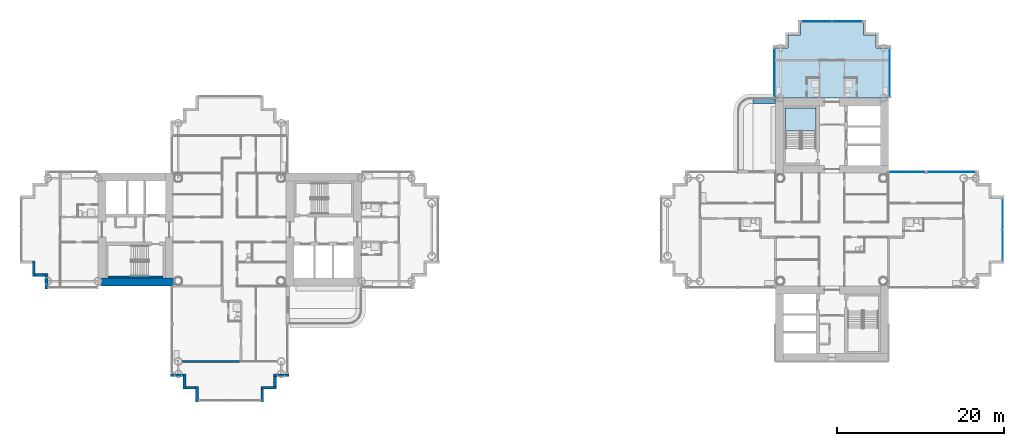
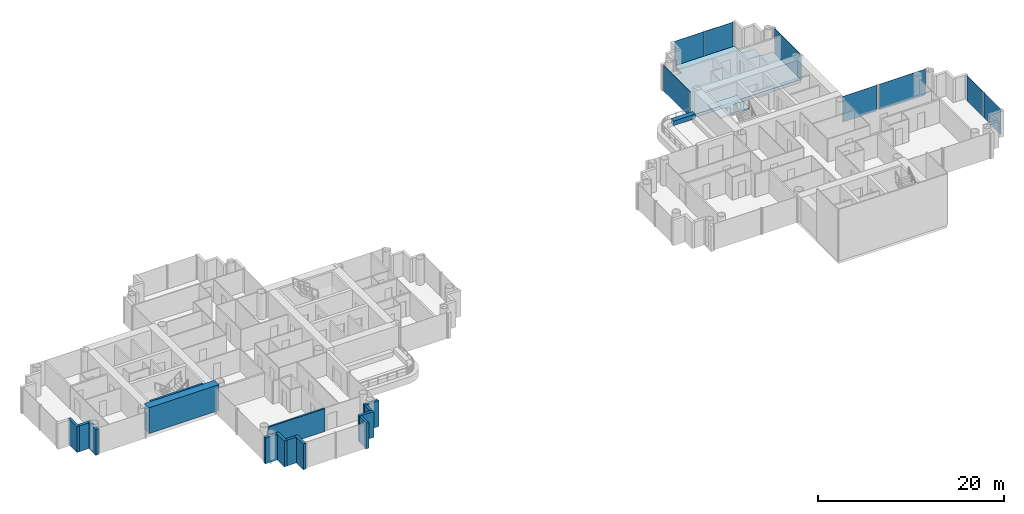
# One storey, part 8 of 21: 14 walls, 8 plates, 3 slabs, 7 elements without a shape of their own.
"""IFC4 building model written with IfcOpenShell, lengths in metres."""

from ifc_helpers import new_model, si_unit, direction, frame, frame_2d, origin, origin_2d, place, context, subcontext, project, spatial, polyline, rectangle, outline, extrude, material, layer, layer_set, type_object, element, aggregate, save


model = new_model("IFC4")

# Units and contexts
model_context = context("Model", 3, precision=1e-05, world=origin(), true_north=direction((0.0, 1.0)))
body_context = subcontext(model_context, "Body", "Model", "MODEL_VIEW")
ifc_project = project(units=[si_unit("LENGTHUNIT", "METRE"), si_unit("AREAUNIT", "SQUARE_METRE"), si_unit("VOLUMEUNIT", "CUBIC_METRE"), si_unit("PLANEANGLEUNIT", "RADIAN"), si_unit("MASSUNIT", "GRAM", prefix="KILO")], contexts=[model_context])

# Site, building, storey
site_placement = place(None, origin())
site = spatial("IfcSite", under=ifc_project, at=site_placement, CompositionType="ELEMENT")
building_placement = place(site_placement, origin())
building = spatial("IfcBuilding", under=site, at=building_placement, Name="Ipe Terrace Towers", CompositionType="ELEMENT")
storey_placement = place(building_placement, frame((0.0, 0.0, 103.800048828125)))
storey = spatial("IfcBuildingStorey", under=building, at=storey_placement, Name="L28", CompositionType="ELEMENT", Elevation=103.800048828125)

# Stair, slab
ifc_material_1 = material(Name="Concrete C30/37", Category="concrete")
stair_type = type_object("IfcStairType", Name="Protected exit stair", PredefinedType="HALF_TURN_STAIR", material=ifc_material_1)
stair_placement = place(storey_placement, origin())
stair = element("IfcStair", 1, at=stair_placement, inside=storey, type_object=stair_type, Name="L28 Exit stair T2-C1", PredefinedType="HALF_TURN_STAIR")
ifc_material_2 = material(Name="Concrete C30/37", Category="concrete")
ifc_layer_1 = layer(ifc_material_2, 0.199951171875)
ifc_layer_set_1 = layer_set([ifc_layer_1], Name="Exit stair landing 200")
slab_type_1 = type_object("IfcSlabType", Name="Exit stair landing 200", PredefinedType="LANDING", material=ifc_layer_set_1)
slab_1_placement = place(storey_placement, frame((0.0, 0.0, 1.5)))
slab_1 = element("IfcSlab", 2, at=slab_1_placement, type_object=slab_type_1, Name="T2-ST1 landing 1", PredefinedType="LANDING", context=body_context, shape_type="SweptSolid", body=[
    extrude(outline(polyline([(34.10009765625, 11.780029296875), (34.10009765625, 14.550048828125), (30.449951171875, 14.550048828125), (30.449951171875, 11.780029296875), (34.10009765625, 11.780029296875)])), origin(), (0.0, 0.0, 1.0), 0.199951171875),
])
aggregate(stair, [slab_1])

# Slabs
ifc_material_3 = material(Name="Concrete C40/50", Category="concrete")
ifc_layer_2 = layer(ifc_material_3, 0.39990234375)
ifc_layer_set_2 = layer_set([ifc_layer_2], Name="FLAT PLATE SLAB 400 C40-50")
slab_type_2 = type_object("IfcSlabType", Name="FLAT PLATE SLAB 400 C40-50", PredefinedType="FLOOR", material=ifc_layer_set_2)
slab_2_placement = place(storey_placement, frame((0.0, 0.0, -0.400146484375)))
element("IfcSlab", 3, at=slab_2_placement, inside=storey, type_object=slab_type_2, Name="Slab T2-FS-Z22", PredefinedType="FLOOR", context=body_context, shape_type="SweptSolid", body=[
    extrude(outline(polyline([(30.75, 21.75), (30.75, 23.25), (32.25, 23.25), (32.25, 24.75), (39.75, 24.75), (39.75, 23.25), (41.25, 23.25), (41.25, 21.75), (42.75, 21.75), (42.75, 15.75), (29.25, 15.75), (29.25, 21.75), (30.75, 21.75)])), origin(), (0.0, 0.0, 1.0), 0.400146484375),
])
ifc_material_4 = material(Name="Concrete C30/37", Category="concrete")
ifc_layer_3 = layer(ifc_material_4, 0.60009765625)
ifc_layer_set_3 = layer_set([ifc_layer_3], Name="PLANTER TROUGH 550 x 600")
slab_type_3 = type_object("IfcSlabType", Name="PLANTER TROUGH 550 x 600", PredefinedType="USERDEFINED", material=ifc_layer_set_3)
slab_3_placement = place(storey_placement, frame((0.0, 0.0, -0.02001953125)))
element("IfcSlab", 4, at=slab_3_placement, inside=storey, type_object=slab_type_3, Name="planter", ObjectType="PLANTER", PredefinedType="USERDEFINED", context=body_context, shape_type="SweptSolid", body=[
    extrude(outline(polyline([(29.25, 15.639892578125), (26.550048828125, 15.639892578125), (26.550048828125, 15.090087890625), (29.25, 15.090087890625), (29.25, 15.639892578125)])), origin(), (0.0, 0.0, 1.0), 0.599853515625),
])

# Curtain wall, plates
ifc_material_5 = material(Name="Aluminium alloy 6063-T6", Category="aluminium")
ifc_layer_4 = layer(ifc_material_5, 0.320068359375)
ifc_layer_set_4 = layer_set([ifc_layer_4], Name="TOWER UNITISED CURTAIN WALL")
curtain_wall_type = type_object("IfcCurtainWallType", Name="TOWER UNITISED CURTAIN WALL", PredefinedType="NOTDEFINED", material=ifc_layer_set_4)
curtain_wall_1_placement = place(storey_placement, origin())
curtain_wall_1 = element("IfcCurtainWall", 5, at=curtain_wall_1_placement, inside=storey, type_object=curtain_wall_type, Name="T2-CW-L28-08a curtain wall", PredefinedType="NOTDEFINED")
ifc_material_6 = material(Name="Glass, clear laminated", Category="glass")
ifc_layer_5 = layer(ifc_material_6, 0.031982421875)
ifc_layer_set_5 = layer_set([ifc_layer_5], Name="TOWER UNITISED GLASS PANEL 32")
plate_type = type_object("IfcPlateType", Name="TOWER UNITISED GLASS PANEL 32", PredefinedType="CURTAIN_PANEL", material=ifc_layer_set_5)
plate_1_placement = place(storey_placement, frame((56.409912109375, -1.831298828125, -0.300048828125), z_axis=(0.0, 0.0, 1.0), x_axis=(0.0, 1.0, 0.0)))
plate_1 = element("IfcPlate", 6, at=plate_1_placement, type_object=plate_type, Name="T2-CW-L28-08a panel 1", PredefinedType="CURTAIN_PANEL", context=body_context, shape_type="SweptSolid", body=[
    extrude(rectangle(XDim=3.597412109375, YDim=0.031982421875, at=origin_2d()), origin(), (0.0, 0.0, 1.0), 3.39990234375),
])
plate_2_placement = place(storey_placement, frame((56.409912109375, 1.831298828125, -0.300048828125), z_axis=(0.0, 0.0, 1.0), x_axis=(0.0, 1.0, 0.0)))
plate_2 = element("IfcPlate", 7, at=plate_2_placement, type_object=plate_type, Name="T2-CW-L28-08a panel 2", PredefinedType="CURTAIN_PANEL", context=body_context, shape_type="SweptSolid", body=[
    extrude(rectangle(XDim=3.597412109375, YDim=0.031982421875, at=origin_2d()), origin(), (0.0, 0.0, 1.0), 3.39990234375),
])
aggregate(curtain_wall_1, [plate_1, plate_2])

# Curtain wall, plate
curtain_wall_2_placement = place(storey_placement, origin())
curtain_wall_2 = element("IfcCurtainWall", 8, at=curtain_wall_2_placement, inside=storey, type_object=curtain_wall_type, Name="T2-CW-L28-13a curtain wall", PredefinedType="NOTDEFINED")
plate_3_placement = place(storey_placement, frame((50.25, 6.909912109375, -0.300048828125), z_axis=(0.0, 0.0, 1.0), x_axis=(-1.0, 0.0, 0.0)))
plate_3 = element("IfcPlate", 9, at=plate_3_placement, type_object=plate_type, Name="T2-CW-L28-13a panel 1", PredefinedType="CURTAIN_PANEL", context=body_context, shape_type="SweptSolid", body=[
    extrude(rectangle(XDim=5.760009765625, YDim=0.031982421875, at=origin_2d()), origin(), (0.0, 0.0, 1.0), 3.39990234375),
])
aggregate(curtain_wall_2, [plate_3])

curtain_wall_3_placement = place(storey_placement, origin())
curtain_wall_3 = element("IfcCurtainWall", 10, at=curtain_wall_3_placement, inside=storey, type_object=curtain_wall_type, Name="T2-CW-L28-14a curtain wall", PredefinedType="NOTDEFINED")
plate_4_placement = place(storey_placement, frame((45.0, 6.909912109375, -0.300048828125), z_axis=(0.0, 0.0, 1.0), x_axis=(-1.0, 0.0, 0.0)))
plate_4 = element("IfcPlate", 11, at=plate_4_placement, type_object=plate_type, Name="T2-CW-L28-14a panel 1", PredefinedType="CURTAIN_PANEL", context=body_context, shape_type="SweptSolid", body=[
    extrude(rectangle(XDim=4.260009765625, YDim=0.031982421875, at=origin_2d()), origin(), (0.0, 0.0, 1.0), 3.39990234375),
])
aggregate(curtain_wall_3, [plate_4])

curtain_wall_4_placement = place(storey_placement, origin())
curtain_wall_4 = element("IfcCurtainWall", 12, at=curtain_wall_4_placement, inside=storey, type_object=curtain_wall_type, Name="T2-CW-L28-16b curtain wall", PredefinedType="NOTDEFINED")
plate_5_placement = place(storey_placement, frame((42.909912109375, 18.75048828125, -0.300048828125), z_axis=(0.0, 0.0, 1.0), x_axis=(0.0, 1.0, 0.0)))
plate_5 = element("IfcPlate", 13, at=plate_5_placement, type_object=plate_type, Name="T2-CW-L28-16b panel 1", PredefinedType="CURTAIN_PANEL", context=body_context, shape_type="SweptSolid", body=[
    extrude(rectangle(XDim=5.759033203125, YDim=0.031982421875, at=origin_2d()), origin(), (0.0, 0.0, 1.0), 3.39990234375),
])
aggregate(curtain_wall_4, [plate_5])

# Curtain wall, plates
curtain_wall_5_placement = place(storey_placement, origin())
curtain_wall_5 = element("IfcCurtainWall", 14, at=curtain_wall_5_placement, inside=storey, type_object=curtain_wall_type, Name="T2-CW-L28-21a curtain wall", PredefinedType="NOTDEFINED")
plate_6_placement = place(storey_placement, frame((37.831298828125, 24.909912109375, -0.300048828125), z_axis=(0.0, 0.0, 1.0), x_axis=(-1.0, 0.0, 0.0)))
plate_6 = element("IfcPlate", 15, at=plate_6_placement, type_object=plate_type, Name="T2-CW-L28-21a panel 1", PredefinedType="CURTAIN_PANEL", context=body_context, shape_type="SweptSolid", body=[
    extrude(rectangle(XDim=3.597412109375, YDim=0.031982421875, at=origin_2d()), origin(), (0.0, 0.0, 1.0), 3.39990234375),
])
plate_7_placement = place(storey_placement, frame((34.168701171875, 24.909912109375, -0.300048828125), z_axis=(0.0, 0.0, 1.0), x_axis=(-1.0, 0.0, 0.0)))
plate_7 = element("IfcPlate", 16, at=plate_7_placement, type_object=plate_type, Name="T2-CW-L28-21a panel 2", PredefinedType="CURTAIN_PANEL", context=body_context, shape_type="SweptSolid", body=[
    extrude(rectangle(XDim=3.597412109375, YDim=0.031982421875, at=origin_2d()), origin(), (0.0, 0.0, 1.0), 3.39990234375),
])
aggregate(curtain_wall_5, [plate_6, plate_7])

# Curtain wall, plate
curtain_wall_6_placement = place(storey_placement, origin())
curtain_wall_6 = element("IfcCurtainWall", 17, at=curtain_wall_6_placement, inside=storey, type_object=curtain_wall_type, Name="T2-CW-L28-26a curtain wall", PredefinedType="NOTDEFINED")
plate_8_placement = place(storey_placement, frame((29.090087890625, 18.75048828125, -0.300048828125), z_axis=(0.0, 0.0, 1.0), x_axis=(0.0, -1.0, 0.0)))
plate_8 = element("IfcPlate", 18, at=plate_8_placement, type_object=plate_type, Name="T2-CW-L28-26a panel 1", PredefinedType="CURTAIN_PANEL", context=body_context, shape_type="SweptSolid", body=[
    extrude(rectangle(XDim=5.759033203125, YDim=0.031982421875, at=origin_2d()), origin(), (0.0, 0.0, 1.0), 3.39990234375),
])
aggregate(curtain_wall_6, [plate_8])

# Walls
ifc_material_7 = material(Name="Concrete C40/50 with buff precast cladding", Category="concrete")
ifc_layer_6 = layer(ifc_material_7, 0.320068359375)
ifc_layer_set_6 = layer_set([ifc_layer_6], Name="BUFF CLADDING WALL 320")
wall_type_1 = type_object("IfcWallType", Name="BUFF CLADDING WALL 320", PredefinedType="STANDARD", material=ifc_layer_set_6)
wall_1_placement = place(storey_placement, frame((-59.409912109375, -3.75, -0.300048828125), z_axis=(0.0, 0.0, 1.0), x_axis=(0.0, -1.0, 0.0)))
element("IfcWall", 19, at=wall_1_placement, inside=storey, type_object=wall_type_1, Name="T1-W-L28-01a wall", PredefinedType="STANDARD", context=body_context, shape_type="SweptSolid", body=[
    extrude(rectangle(XDim=1.820068359375, YDim=0.320068359375, at=frame_2d((0.91015625, 0.0))), origin(), (0.0, 0.0, 1.0), 3.39990234375),
])
wall_2_placement = place(storey_placement, frame((-59.25, -5.409912109375, -0.300048828125), z_axis=(0.0, 0.0, 1.0), x_axis=(1.0, 0.0, 0.0)))
element("IfcWall", 20, at=wall_2_placement, inside=storey, type_object=wall_type_1, Name="T1-W-L28-02a wall", PredefinedType="STANDARD", context=body_context, shape_type="SweptSolid", body=[
    extrude(rectangle(XDim=1.179931640625, YDim=0.320068359375, at=frame_2d((0.58984375, 0.0))), origin(), (0.0, 0.0, 1.0), 3.39990234375),
])
wall_3_placement = place(storey_placement, frame((-57.909912109375, -5.25, -0.300048828125), z_axis=(0.0, 0.0, 1.0), x_axis=(0.0, -1.0, 0.0)))
element("IfcWall", 21, at=wall_3_placement, inside=storey, type_object=wall_type_1, Name="T1-W-L28-03a wall", PredefinedType="STANDARD", context=body_context, shape_type="SweptSolid", body=[
    extrude(rectangle(XDim=1.820068359375, YDim=0.320068359375, at=frame_2d((0.91015625, 0.0))), origin(), (0.0, 0.0, 1.0), 3.39990234375),
])
wall_4_placement = place(storey_placement, frame((-43.070068359375, -17.409912109375, -0.300048828125), z_axis=(0.0, 0.0, 1.0), x_axis=(1.0, 0.0, 0.0)))
element("IfcWall", 22, at=wall_4_placement, inside=storey, type_object=wall_type_1, Name="T1-W-L28-08a wall", PredefinedType="STANDARD", context=body_context, shape_type="SweptSolid", body=[
    extrude(rectangle(XDim=1.5, YDim=0.320068359375, at=frame_2d((0.75, 0.0))), origin(), (0.0, 0.0, 1.0), 3.39990234375),
])
wall_5_placement = place(storey_placement, frame((-41.409912109375, -17.25, -0.300048828125), z_axis=(0.0, 0.0, 1.0), x_axis=(0.0, -1.0, 0.0)))
element("IfcWall", 23, at=wall_5_placement, inside=storey, type_object=wall_type_1, Name="T1-W-L28-09a wall", PredefinedType="STANDARD", context=body_context, shape_type="SweptSolid", body=[
    extrude(rectangle(XDim=1.820068359375, YDim=0.320068359375, at=frame_2d((0.91015625, 0.0))), origin(), (0.0, 0.0, 1.0), 3.39990234375),
])
wall_6_placement = place(storey_placement, frame((-41.25, -18.909912109375, -0.300048828125), z_axis=(0.0, 0.0, 1.0), x_axis=(1.0, 0.0, 0.0)))
element("IfcWall", 24, at=wall_6_placement, inside=storey, type_object=wall_type_1, Name="T1-W-L28-10a wall", PredefinedType="STANDARD", context=body_context, shape_type="SweptSolid", body=[
    extrude(rectangle(XDim=1.179931640625, YDim=0.320068359375, at=frame_2d((0.58984375, 0.0))), origin(), (0.0, 0.0, 1.0), 3.39990234375),
])
wall_7_placement = place(storey_placement, frame((-39.909912109375, -18.75, -0.300048828125), z_axis=(0.0, 0.0, 1.0), x_axis=(0.0, -1.0, 0.0)))
element("IfcWall", 25, at=wall_7_placement, inside=storey, type_object=wall_type_1, Name="T1-W-L28-11a wall", PredefinedType="STANDARD", context=body_context, shape_type="SweptSolid", body=[
    extrude(rectangle(XDim=1.820068359375, YDim=0.320068359375, at=frame_2d((0.91015625, 0.0))), origin(), (0.0, 0.0, 1.0), 3.39990234375),
])
wall_8_placement = place(storey_placement, frame((-32.090087890625, -20.570068359375, -0.300048828125), z_axis=(0.0, 0.0, 1.0), x_axis=(0.0, 1.0, 0.0)))
element("IfcWall", 26, at=wall_8_placement, inside=storey, type_object=wall_type_1, Name="T1-W-L28-13a wall", PredefinedType="STANDARD", context=body_context, shape_type="SweptSolid", body=[
    extrude(rectangle(XDim=1.5, YDim=0.320068359375, at=frame_2d((0.75, 0.0))), origin(), (0.0, 0.0, 1.0), 3.39990234375),
])
wall_9_placement = place(storey_placement, frame((-32.25, -18.909912109375, -0.300048828125), z_axis=(0.0, 0.0, 1.0), x_axis=(1.0, 0.0, 0.0)))
element("IfcWall", 27, at=wall_9_placement, inside=storey, type_object=wall_type_1, Name="T1-W-L28-14a wall", PredefinedType="STANDARD", context=body_context, shape_type="SweptSolid", body=[
    extrude(rectangle(XDim=1.820068359375, YDim=0.320068359375, at=frame_2d((0.91015625, 0.0))), origin(), (0.0, 0.0, 1.0), 3.39990234375),
])
wall_10_placement = place(storey_placement, frame((-30.590087890625, -18.75, -0.300048828125), z_axis=(0.0, 0.0, 1.0), x_axis=(0.0, 1.0, 0.0)))
element("IfcWall", 28, at=wall_10_placement, inside=storey, type_object=wall_type_1, Name="T1-W-L28-15a wall", PredefinedType="STANDARD", context=body_context, shape_type="SweptSolid", body=[
    extrude(rectangle(XDim=1.179931640625, YDim=0.320068359375, at=frame_2d((0.58984375, 0.0))), origin(), (0.0, 0.0, 1.0), 3.39990234375),
])
wall_11_placement = place(storey_placement, frame((-30.75, -17.409912109375, -0.300048828125), z_axis=(0.0, 0.0, 1.0), x_axis=(1.0, 0.0, 0.0)))
element("IfcWall", 29, at=wall_11_placement, inside=storey, type_object=wall_type_1, Name="T1-W-L28-16a wall", PredefinedType="STANDARD", context=body_context, shape_type="SweptSolid", body=[
    extrude(rectangle(XDim=1.820068359375, YDim=0.320068359375, at=frame_2d((0.91015625, 0.0))), origin(), (0.0, 0.0, 1.0), 3.39990234375),
])
ifc_material_8 = material(Name="Gypsum board party wall", Category="plasterboard")
ifc_layer_7 = layer(ifc_material_8, 0.199951171875)
ifc_layer_set_7 = layer_set([ifc_layer_7], Name="Gypsum board party wall 200 mm")
wall_type_2 = type_object("IfcWallType", Name="Gypsum board party wall 200 mm", PredefinedType="SOLIDWALL", material=ifc_layer_set_7)
wall_12_placement = place(storey_placement, frame((-41.699951171875, -15.75, 0.0), z_axis=(0.0, 0.0, 1.0), x_axis=(1.0, 0.0, 0.0)))
element("IfcWall", 30, at=wall_12_placement, inside=storey, type_object=wall_type_2, Name="Gypsum board party wall T1 L28 W22", PredefinedType="SOLIDWALL", context=body_context, shape_type="SweptSolid", body=[
    extrude(rectangle(XDim=7.050048828125, YDim=0.199951171875, at=frame_2d((3.52490234375, 0.0))), origin(), (0.0, 0.0, 1.0), 3.0),
])
ifc_material_9 = material(Name="Concrete C50/60", Category="concrete")
ifc_layer_8 = layer(ifc_material_9, 0.25)
ifc_layer_set_8 = layer_set([ifc_layer_8], Name="RW250 CORE INFILL WALL 250 C50-60")
wall_type_3 = type_object("IfcWallType", Name="RW250 CORE INFILL WALL 250 C50-60", PredefinedType="SHEAR", material=ifc_layer_set_8)
wall_13_placement = place(storey_placement, frame((-43.949951171875, -5.675048828125, 0.0), z_axis=(0.0, 0.0, 1.0), x_axis=(-1.0, 0.0, 0.0)))
element("IfcWall", 31, at=wall_13_placement, inside=storey, type_object=wall_type_3, Name="Core infill wall T1-C2-back", PredefinedType="SHEAR", context=body_context, shape_type="SweptSolid", body=[
    extrude(rectangle(XDim=6.60009765625, YDim=0.25, at=frame_2d((3.300048828125, 0.0))), origin(), (0.0, 0.0, 1.0), 3.39990234375),
])
ifc_material_10 = material(Name="Concrete C50/60", Category="concrete")
ifc_layer_9 = layer(ifc_material_10, 0.949951171875)
ifc_layer_set_9 = layer_set([ifc_layer_9], Name="RW950 CORE WALL 950 C50-60")
wall_type_4 = type_object("IfcWallType", Name="RW950 CORE WALL 950 C50-60", PredefinedType="SHEAR", material=ifc_layer_set_9)
wall_14_placement = place(storey_placement, frame((-51.298095703125, -6.27490234375, 0.0), z_axis=(0.0, 0.0, 1.0), x_axis=(1.0, 0.0, 0.0)))
element("IfcWall", 32, at=wall_14_placement, inside=storey, type_object=wall_type_4, Name="Core wall T1-C2-Z2-W01", PredefinedType="SHEAR", context=body_context, shape_type="SweptSolid", body=[
    extrude(rectangle(XDim=8.696044921875, YDim=0.949951171875, at=frame_2d((4.34814453125, 0.0))), origin(), (0.0, 0.0, 1.0), 3.39990234375),
])

save(model, "model.ifc")
